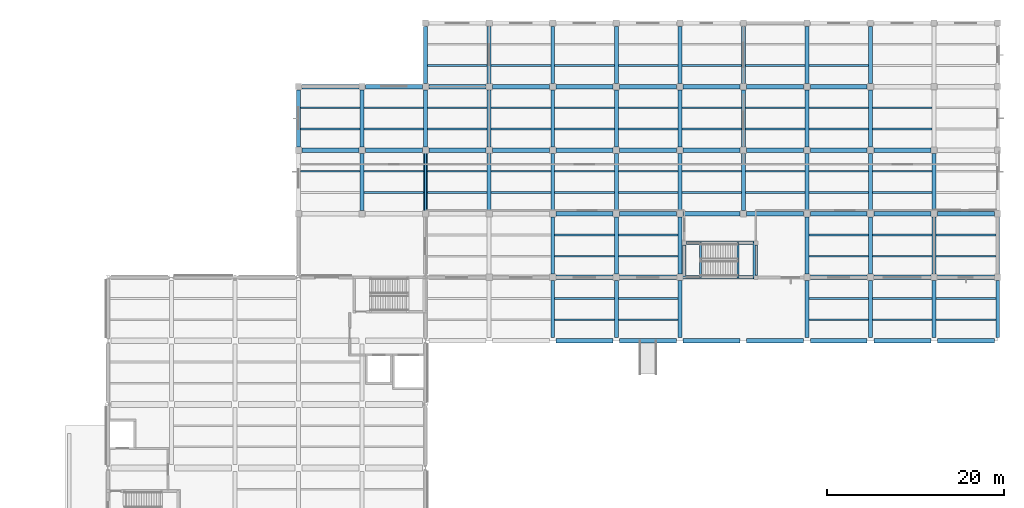
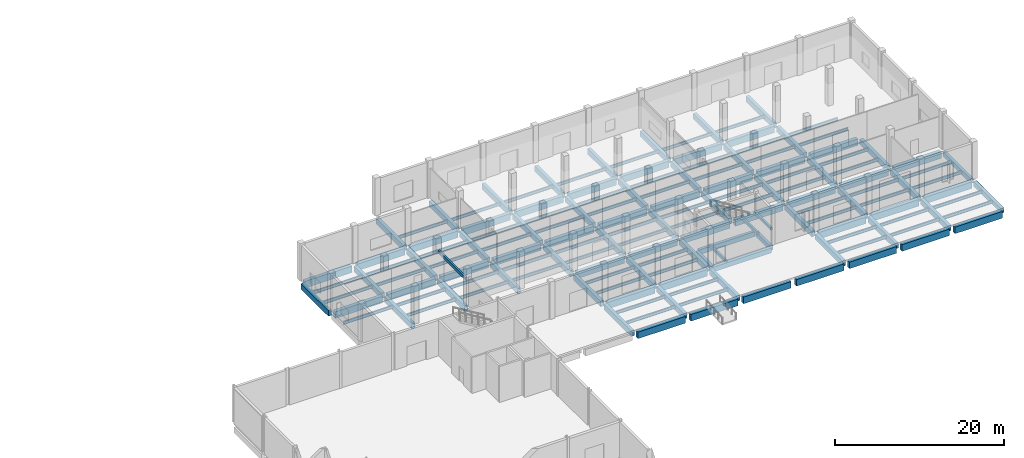
# One storey, part 19 of 46: 154 beams.
"""IFC4 building model written with IfcOpenShell, lengths in metres."""

from ifc_helpers import new_model, si_unit, direction, frame, origin, origin_2d, place, context, subcontext, project, spatial, rectangle, i_section, extrude, material, material_profile, profile_set, type_object, element, save


model = new_model("IFC4")

# Units and contexts
model_context = context("Model", 3, precision=1e-05, world=origin(), true_north=direction((0.0, 1.0)))
body_context = subcontext(model_context, "Body", "Model", "MODEL_VIEW")
ifc_project = project(units=[si_unit("LENGTHUNIT", "METRE"), si_unit("AREAUNIT", "SQUARE_METRE"), si_unit("VOLUMEUNIT", "CUBIC_METRE"), si_unit("PLANEANGLEUNIT", "RADIAN"), si_unit("MASSUNIT", "GRAM", prefix="KILO"), si_unit("THERMODYNAMICTEMPERATUREUNIT", "KELVIN"), si_unit("POWERUNIT", "WATT")], contexts=[model_context])

# Site, building, storey
site_placement = place(None, origin())
site = spatial("IfcSite", under=ifc_project, at=site_placement, CompositionType="ELEMENT")
building_placement = place(site_placement, origin())
building = spatial("IfcBuilding", under=site, at=building_placement, Name="Kaldorven Railside Theatre", CompositionType="ELEMENT")
storey_placement = place(building_placement, origin())
storey = spatial("IfcBuildingStorey", under=building, at=storey_placement, Name="L00", CompositionType="ELEMENT", Elevation=0.0)

# Beams
ifc_material_1 = material(Name="Steel S355", Category="steel")
ifc_material_profile_1 = material_profile(ifc_material_1, i_section(OverallWidth=0.18994140625, OverallDepth=0.449951171875, WebThickness=0.009521484375, FlangeThickness=0.0146484375, at=origin_2d()), Name="IPE 450")
ifc_profile_set_1 = profile_set([ifc_material_profile_1], Name="Steel S355")
beam_type_1 = type_object("IfcBeamType", Name="BM-IPE450", PredefinedType="JOIST", material=ifc_profile_set_1)
for number, where, z_axis, x_axis, name in (
    (1, (137.824951171875, 108.0, -0.47509765625), (1.0, 0.0, 0.0), (0.0, 1.0, 0.0), "L00 Secondary Floor Joist JG-L00-137-1080"),
    (2, (137.824951171875, 110.39990234375, -0.47509765625), (1.0, 0.0, 0.0), (0.0, 1.0, 0.0), "L00 Secondary Floor Joist JG-L00-137-1104"),
    (3, (145.02490234375, 108.0, -0.47509765625), (1.0, 0.0, 0.0), (0.0, 1.0, 0.0), "L00 Secondary Floor Joist JG-L00-144-1080"),
    (4, (145.02490234375, 110.39990234375, -0.47509765625), (1.0, 0.0, 0.0), (0.0, 1.0, 0.0), "L00 Secondary Floor Joist JG-L00-144-1104"),
    (5, (166.625, 108.0, -0.47509765625), (1.0, 0.0, 0.0), (0.0, 1.0, 0.0), "L00 Secondary Floor Joist JG-L00-166-1080"),
    (6, (166.625, 110.39990234375, -0.47509765625), (1.0, 0.0, 0.0), (0.0, 1.0, 0.0), "L00 Secondary Floor Joist JG-L00-166-1104"),
    (7, (173.824951171875, 108.0, -0.47509765625), (1.0, 0.0, 0.0), (0.0, 1.0, 0.0), "L00 Secondary Floor Joist JG-L00-173-1080"),
    (8, (173.824951171875, 110.39990234375, -0.47509765625), (1.0, 0.0, 0.0), (0.0, 1.0, 0.0), "L00 Secondary Floor Joist JG-L00-173-1104"),
):
    element("IfcBeam", number, at=place(storey_placement, frame(where, z_axis=z_axis, x_axis=x_axis)), inside=storey, type_object=beam_type_1, Name=name, PredefinedType="JOIST", context=body_context, shape_type="SweptSolid", body=[
        extrude(i_section(OverallWidth=0.18994140625, OverallDepth=0.449951171875, WebThickness=0.009521484375, FlangeThickness=0.0146484375, at=origin_2d()), origin(), (0.0, 0.0, 1.0), 6.75),
    ])
for number, where, z_axis, x_axis, name in (
    (9, (181.02490234375, 108.0, -0.47509765625), (1.0, 0.0, 0.0), (0.0, 1.0, 0.0), "L00 Secondary Floor Joist JG-L00-180-1080"),
    (10, (181.02490234375, 110.39990234375, -0.47509765625), (1.0, 0.0, 0.0), (0.0, 1.0, 0.0), "L00 Secondary Floor Joist JG-L00-180-1104"),
):
    element("IfcBeam", number, at=place(storey_placement, frame(where, z_axis=z_axis, x_axis=x_axis)), inside=storey, type_object=beam_type_1, Name=name, PredefinedType="JOIST", context=body_context, shape_type="SweptSolid", body=[
        extrude(i_section(OverallWidth=0.18994140625, OverallDepth=0.449951171875, WebThickness=0.009521484375, FlangeThickness=0.0146484375, at=origin_2d()), origin(), (0.0, 0.0, 1.0), 6.775146484375),
    ])
for number, where, z_axis, x_axis, name in (
    (11, (137.824951171875, 115.199951171875, -0.574951171875), (1.0, 0.0, 0.0), (0.0, 1.0, 0.0), "L00 Secondary Floor Joist JG-L00-137-1152"),
    (12, (137.824951171875, 117.60009765625, -0.574951171875), (1.0, 0.0, 0.0), (0.0, 1.0, 0.0), "L00 Secondary Floor Joist JG-L00-137-1176"),
    (13, (145.02490234375, 115.199951171875, -0.574951171875), (1.0, 0.0, 0.0), (0.0, 1.0, 0.0), "L00 Secondary Floor Joist JG-L00-144-1152"),
    (14, (145.02490234375, 117.60009765625, -0.574951171875), (1.0, 0.0, 0.0), (0.0, 1.0, 0.0), "L00 Secondary Floor Joist JG-L00-144-1176"),
    (15, (166.625, 115.199951171875, -0.574951171875), (1.0, 0.0, 0.0), (0.0, 1.0, 0.0), "L00 Secondary Floor Joist JG-L00-166-1152"),
    (16, (166.625, 117.60009765625, -0.574951171875), (1.0, 0.0, 0.0), (0.0, 1.0, 0.0), "L00 Secondary Floor Joist JG-L00-166-1176"),
    (17, (173.824951171875, 115.199951171875, -0.574951171875), (1.0, 0.0, 0.0), (0.0, 1.0, 0.0), "L00 Secondary Floor Joist JG-L00-173-1152"),
    (18, (173.824951171875, 117.60009765625, -0.574951171875), (1.0, 0.0, 0.0), (0.0, 1.0, 0.0), "L00 Secondary Floor Joist JG-L00-173-1176"),
):
    element("IfcBeam", number, at=place(storey_placement, frame(where, z_axis=z_axis, x_axis=x_axis)), inside=storey, type_object=beam_type_1, Name=name, PredefinedType="JOIST", context=body_context, shape_type="SweptSolid", body=[
        extrude(i_section(OverallWidth=0.18994140625, OverallDepth=0.449951171875, WebThickness=0.009521484375, FlangeThickness=0.0146484375, at=origin_2d()), origin(), (0.0, 0.0, 1.0), 6.75),
    ])
for number, where, z_axis, x_axis, name in (
    (19, (181.02490234375, 115.199951171875, -0.574951171875), (1.0, 0.0, 0.0), (0.0, 1.0, 0.0), "L00 Secondary Floor Joist JG-L00-180-1152"),
    (20, (181.02490234375, 117.60009765625, -0.574951171875), (1.0, 0.0, 0.0), (0.0, 1.0, 0.0), "L00 Secondary Floor Joist JG-L00-180-1176"),
):
    element("IfcBeam", number, at=place(storey_placement, frame(where, z_axis=z_axis, x_axis=x_axis)), inside=storey, type_object=beam_type_1, Name=name, PredefinedType="JOIST", context=body_context, shape_type="SweptSolid", body=[
        extrude(i_section(OverallWidth=0.18994140625, OverallDepth=0.449951171875, WebThickness=0.009521484375, FlangeThickness=0.0146484375, at=origin_2d()), origin(), (0.0, 0.0, 1.0), 6.775146484375),
    ])
for number, where, z_axis, x_axis, name in (
    (21, (109.02490234375, 124.800048828125, -0.574951171875), (1.0, 0.0, 0.0), (0.0, 1.0, 0.0), "L00 Secondary Floor Joist JG-L00-108-1248"),
    (22, (116.22509765625, 122.39990234375, -0.574951171875), (1.0, 0.0, 0.0), (0.0, 1.0, 0.0), "L00 Secondary Floor Joist JG-L00-116-1224"),
    (23, (116.22509765625, 124.800048828125, -0.574951171875), (1.0, 0.0, 0.0), (0.0, 1.0, 0.0), "L00 Secondary Floor Joist JG-L00-116-1248"),
    (24, (123.425048828125, 122.39990234375, -0.574951171875), (1.0, 0.0, 0.0), (0.0, 1.0, 0.0), "L00 Secondary Floor Joist JG-L00-123-1224"),
    (25, (123.425048828125, 124.800048828125, -0.574951171875), (1.0, 0.0, 0.0), (0.0, 1.0, 0.0), "L00 Secondary Floor Joist JG-L00-123-1248"),
    (26, (130.625, 122.39990234375, -0.574951171875), (1.0, 0.0, 0.0), (0.0, 1.0, 0.0), "L00 Secondary Floor Joist JG-L00-130-1224"),
    (27, (130.625, 124.800048828125, -0.574951171875), (1.0, 0.0, 0.0), (0.0, 1.0, 0.0), "L00 Secondary Floor Joist JG-L00-130-1248"),
    (28, (137.824951171875, 122.39990234375, -0.574951171875), (1.0, 0.0, 0.0), (0.0, 1.0, 0.0), "L00 Secondary Floor Joist JG-L00-137-1224"),
    (29, (137.824951171875, 124.800048828125, -0.574951171875), (1.0, 0.0, 0.0), (0.0, 1.0, 0.0), "L00 Secondary Floor Joist JG-L00-137-1248"),
    (30, (145.02490234375, 122.39990234375, -0.574951171875), (1.0, 0.0, 0.0), (0.0, 1.0, 0.0), "L00 Secondary Floor Joist JG-L00-144-1224"),
    (31, (145.02490234375, 124.800048828125, -0.574951171875), (1.0, 0.0, 0.0), (0.0, 1.0, 0.0), "L00 Secondary Floor Joist JG-L00-144-1248"),
    (32, (152.22509765625, 122.39990234375, -0.574951171875), (1.0, 0.0, 0.0), (0.0, 1.0, 0.0), "L00 Secondary Floor Joist JG-L00-152-1224"),
    (33, (152.22509765625, 124.800048828125, -0.574951171875), (1.0, 0.0, 0.0), (0.0, 1.0, 0.0), "L00 Secondary Floor Joist JG-L00-152-1248"),
    (34, (159.425048828125, 122.39990234375, -0.574951171875), (1.0, 0.0, 0.0), (0.0, 1.0, 0.0), "L00 Secondary Floor Joist JG-L00-159-1224"),
    (35, (159.425048828125, 124.800048828125, -0.574951171875), (1.0, 0.0, 0.0), (0.0, 1.0, 0.0), "L00 Secondary Floor Joist JG-L00-159-1248"),
    (36, (166.625, 122.39990234375, -0.574951171875), (1.0, 0.0, 0.0), (0.0, 1.0, 0.0), "L00 Secondary Floor Joist JG-L00-166-1224"),
    (37, (166.625, 124.800048828125, -0.574951171875), (1.0, 0.0, 0.0), (0.0, 1.0, 0.0), "L00 Secondary Floor Joist JG-L00-166-1248"),
    (38, (173.824951171875, 122.39990234375, -0.574951171875), (1.0, 0.0, 0.0), (0.0, 1.0, 0.0), "L00 Secondary Floor Joist JG-L00-173-1224"),
    (39, (173.824951171875, 124.800048828125, -0.574951171875), (1.0, 0.0, 0.0), (0.0, 1.0, 0.0), "L00 Secondary Floor Joist JG-L00-173-1248"),
    (40, (109.02490234375, 129.60009765625, -0.574951171875), (1.0, 0.0, 0.0), (0.0, 1.0, 0.0), "L00 Secondary Floor Joist JG-L00-108-1296"),
    (41, (109.02490234375, 132.0, -0.574951171875), (1.0, 0.0, 0.0), (0.0, 1.0, 0.0), "L00 Secondary Floor Joist JG-L00-108-1320"),
    (42, (116.22509765625, 129.60009765625, -0.574951171875), (1.0, 0.0, 0.0), (0.0, 1.0, 0.0), "L00 Secondary Floor Joist JG-L00-116-1296"),
    (43, (116.22509765625, 132.0, -0.574951171875), (1.0, 0.0, 0.0), (0.0, 1.0, 0.0), "L00 Secondary Floor Joist JG-L00-116-1320"),
    (44, (123.425048828125, 129.60009765625, -0.574951171875), (1.0, 0.0, 0.0), (0.0, 1.0, 0.0), "L00 Secondary Floor Joist JG-L00-123-1296"),
    (45, (123.425048828125, 132.0, -0.574951171875), (1.0, 0.0, 0.0), (0.0, 1.0, 0.0), "L00 Secondary Floor Joist JG-L00-123-1320"),
    (46, (130.625, 129.60009765625, -0.574951171875), (1.0, 0.0, 0.0), (0.0, 1.0, 0.0), "L00 Secondary Floor Joist JG-L00-130-1296"),
    (47, (130.625, 132.0, -0.574951171875), (1.0, 0.0, 0.0), (0.0, 1.0, 0.0), "L00 Secondary Floor Joist JG-L00-130-1320"),
    (48, (137.824951171875, 129.60009765625, -0.574951171875), (1.0, 0.0, 0.0), (0.0, 1.0, 0.0), "L00 Secondary Floor Joist JG-L00-137-1296"),
    (49, (137.824951171875, 132.0, -0.574951171875), (1.0, 0.0, 0.0), (0.0, 1.0, 0.0), "L00 Secondary Floor Joist JG-L00-137-1320"),
    (50, (145.02490234375, 129.60009765625, -0.574951171875), (1.0, 0.0, 0.0), (0.0, 1.0, 0.0), "L00 Secondary Floor Joist JG-L00-144-1296"),
    (51, (145.02490234375, 132.0, -0.574951171875), (1.0, 0.0, 0.0), (0.0, 1.0, 0.0), "L00 Secondary Floor Joist JG-L00-144-1320"),
    (52, (152.22509765625, 129.60009765625, -0.574951171875), (1.0, 0.0, 0.0), (0.0, 1.0, 0.0), "L00 Secondary Floor Joist JG-L00-152-1296"),
    (53, (152.22509765625, 132.0, -0.574951171875), (1.0, 0.0, 0.0), (0.0, 1.0, 0.0), "L00 Secondary Floor Joist JG-L00-152-1320"),
    (54, (159.425048828125, 129.60009765625, -0.574951171875), (1.0, 0.0, 0.0), (0.0, 1.0, 0.0), "L00 Secondary Floor Joist JG-L00-159-1296"),
    (55, (159.425048828125, 132.0, -0.574951171875), (1.0, 0.0, 0.0), (0.0, 1.0, 0.0), "L00 Secondary Floor Joist JG-L00-159-1320"),
    (56, (166.625, 129.60009765625, -0.574951171875), (1.0, 0.0, 0.0), (0.0, 1.0, 0.0), "L00 Secondary Floor Joist JG-L00-166-1296"),
    (57, (166.625, 132.0, -0.574951171875), (1.0, 0.0, 0.0), (0.0, 1.0, 0.0), "L00 Secondary Floor Joist JG-L00-166-1320"),
    (58, (173.824951171875, 129.60009765625, -0.574951171875), (1.0, 0.0, 0.0), (0.0, 1.0, 0.0), "L00 Secondary Floor Joist JG-L00-173-1296"),
    (59, (173.824951171875, 132.0, -0.574951171875), (1.0, 0.0, 0.0), (0.0, 1.0, 0.0), "L00 Secondary Floor Joist JG-L00-173-1320"),
    (60, (123.425048828125, 136.800048828125, -0.574951171875), (1.0, 0.0, 0.0), (0.0, 1.0, 0.0), "L00 Secondary Floor Joist JG-L00-123-1368"),
    (61, (130.625, 136.800048828125, -0.574951171875), (1.0, 0.0, 0.0), (0.0, 1.0, 0.0), "L00 Secondary Floor Joist JG-L00-130-1368"),
    (62, (137.824951171875, 136.800048828125, -0.574951171875), (1.0, 0.0, 0.0), (0.0, 1.0, 0.0), "L00 Secondary Floor Joist JG-L00-137-1368"),
    (63, (145.02490234375, 136.800048828125, -0.574951171875), (1.0, 0.0, 0.0), (0.0, 1.0, 0.0), "L00 Secondary Floor Joist JG-L00-144-1368"),
    (64, (152.22509765625, 136.800048828125, -0.574951171875), (1.0, 0.0, 0.0), (0.0, 1.0, 0.0), "L00 Secondary Floor Joist JG-L00-152-1368"),
    (65, (159.425048828125, 136.800048828125, -0.574951171875), (1.0, 0.0, 0.0), (0.0, 1.0, 0.0), "L00 Secondary Floor Joist JG-L00-159-1368"),
    (66, (166.625, 136.800048828125, -0.574951171875), (1.0, 0.0, 0.0), (0.0, 1.0, 0.0), "L00 Secondary Floor Joist JG-L00-166-1368"),
):
    element("IfcBeam", number, at=place(storey_placement, frame(where, z_axis=z_axis, x_axis=x_axis)), inside=storey, type_object=beam_type_1, Name=name, PredefinedType="JOIST", context=body_context, shape_type="SweptSolid", body=[
        extrude(i_section(OverallWidth=0.18994140625, OverallDepth=0.449951171875, WebThickness=0.009521484375, FlangeThickness=0.0146484375, at=origin_2d()), origin(), (0.0, 0.0, 1.0), 6.75),
    ])
ifc_material_2 = material(Name="Concrete C40/50", Category="concrete")
ifc_material_profile_2 = material_profile(ifc_material_2, rectangle(XDim=0.25, YDim=0.39990234375, at=origin_2d()), Name="RC 250x400")
ifc_profile_set_2 = profile_set([ifc_material_profile_2], Name="Concrete C40/50")
beam_type_2 = type_object("IfcBeamType", Name="BM-RC250x400", PredefinedType="LINTEL", material=ifc_profile_set_2)
beam_1_placement = place(storey_placement, frame((154.35009765625, 112.77001953125, -0.344970703125), z_axis=(0.0, 1.0, 0.0), x_axis=(-1.0, 0.0, 0.0)))
element("IfcBeam", 67, at=beam_1_placement, inside=storey, type_object=beam_type_2, Name="Stair ST-08 L00 Landing Trimmer Beam", PredefinedType="LINTEL", context=body_context, shape_type="SweptSolid", body=[
    extrude(rectangle(XDim=0.25, YDim=0.39990234375, at=origin_2d()), origin(), (0.0, 0.0, 1.0), 3.9599609375),
])
for number, where, z_axis, x_axis, name in (
    (68, (158.574951171875, 112.739990234375, 2.300048828125), (0.0, 1.0, 0.0), (-1.0, 0.0, 0.0), "Stair ST-08 L00 Half-Landing Bearer"),
    (69, (160.429931640625, 112.739990234375, 2.300048828125), (0.0, 1.0, 0.0), (-1.0, 0.0, 0.0), "Stair ST-08 L00 Half-Landing Bearer"),
):
    element("IfcBeam", number, at=place(storey_placement, frame(where, z_axis=z_axis, x_axis=x_axis)), inside=storey, type_object=beam_type_2, Name=name, PredefinedType="LINTEL", context=body_context, shape_type="SweptSolid", body=[
        extrude(rectangle(XDim=0.25, YDim=0.39990234375, at=origin_2d()), origin(), (0.0, 0.0, 1.0), 4.02001953125),
    ])
beam_2_placement = place(storey_placement, frame((123.199951171875, 120.25, 3.550048828125), z_axis=(0.0, 1.0, 0.0), x_axis=(-1.0, 0.0, 0.0)))
element("IfcBeam", 70, at=beam_2_placement, inside=storey, type_object=beam_type_2, Name="Reinforced Concrete Opening Lintel LNT-05", PredefinedType="LINTEL", context=body_context, shape_type="SweptSolid", body=[
    extrude(rectangle(XDim=0.25, YDim=0.39990234375, at=origin_2d()), origin(), (0.0, 0.0, 1.0), 6.699951171875),
])
ifc_material_profile_3 = material_profile(ifc_material_2, rectangle(XDim=0.39990234375, YDim=0.699951171875, at=origin_2d()), Name="RC 400x700")
ifc_profile_set_3 = profile_set([ifc_material_profile_3], Name="Concrete C40/50")
beam_type_3 = type_object("IfcBeamType", Name="BM-RC400x700", PredefinedType="BEAM", material=ifc_profile_set_3)
for number, where, z_axis, x_axis, name in (
    (71, (188.0, 105.97509765625, -0.60009765625), (0.0, 1.0, 0.0), (-1.0, 0.0, 0.0), "L00 Girder BGY-L00-188-105-72"),
    (72, (188.0, 113.175048828125, -0.699951171875), (0.0, 1.0, 0.0), (-1.0, 0.0, 0.0), "L00 Girder BGY-L00-188-112-72"),
):
    element("IfcBeam", number, at=place(storey_placement, frame(where, z_axis=z_axis, x_axis=x_axis)), inside=storey, type_object=beam_type_3, Name=name, PredefinedType="BEAM", context=body_context, shape_type="SweptSolid", body=[
        extrude(rectangle(XDim=0.39990234375, YDim=0.699951171875, at=origin_2d()), origin(), (0.0, 0.0, 1.0), 6.449951171875),
    ])
beam_3_placement = place(storey_placement, frame((152.3798828125, 112.800048828125, -0.699951171875), z_axis=(1.0, 0.0, 0.0), x_axis=(0.0, 1.0, 0.0)))
element("IfcBeam", 73, at=beam_3_placement, inside=storey, type_object=beam_type_3, Name="Core ST-08 L00 Ring Girder", PredefinedType="BEAM", context=body_context, shape_type="SweptSolid", body=[
    extrude(rectangle(XDim=0.39990234375, YDim=0.699951171875, at=origin_2d()), origin(), (0.0, 0.0, 1.0), 7.9951171875),
])
beam_4_placement = place(storey_placement, frame((160.60009765625, 113.02490234375, -0.699951171875), z_axis=(0.0, 1.0, 0.0), x_axis=(-1.0, 0.0, 0.0)))
element("IfcBeam", 74, at=beam_4_placement, inside=storey, type_object=beam_type_3, Name="Core ST-08 L00 Ring Girder", PredefinedType="BEAM", context=body_context, shape_type="SweptSolid", body=[
    extrude(rectangle(XDim=0.39990234375, YDim=0.699951171875, at=origin_2d()), origin(), (0.0, 0.0, 1.0), 3.4501953125),
])
beam_5_placement = place(storey_placement, frame((160.375, 116.699951171875, -0.699951171875), z_axis=(-1.0, 0.0, 0.0), x_axis=(0.0, -1.0, 0.0)))
element("IfcBeam", 75, at=beam_5_placement, inside=storey, type_object=beam_type_3, Name="Core ST-08 L00 Ring Girder", PredefinedType="BEAM", context=body_context, shape_type="SweptSolid", body=[
    extrude(rectangle(XDim=0.39990234375, YDim=0.699951171875, at=origin_2d()), origin(), (0.0, 0.0, 1.0), 7.64990234375),
])
beam_6_placement = place(storey_placement, frame((152.5, 116.47509765625, -0.699951171875), z_axis=(0.0, -1.0, 0.0), x_axis=(1.0, 0.0, 0.0)))
element("IfcBeam", 76, at=beam_6_placement, inside=storey, type_object=beam_type_3, Name="Core ST-08 L00 Ring Girder", PredefinedType="BEAM", context=body_context, shape_type="SweptSolid", body=[
    extrude(rectangle(XDim=0.39990234375, YDim=0.699951171875, at=origin_2d()), origin(), (0.0, 0.0, 1.0), 3.655029296875),
])
ifc_material_profile_4 = material_profile(ifc_material_2, rectangle(XDim=0.449951171875, YDim=0.800048828125, at=origin_2d()), Name="RC 450x800")
ifc_profile_set_4 = profile_set([ifc_material_profile_4], Name="Concrete C40/50")
beam_type_4 = type_object("IfcBeamType", Name="BM-RC450x800", PredefinedType="BEAM", material=ifc_profile_set_4)
for number, where, z_axis, x_axis, name in (
    (77, (137.60009765625, 105.97509765625, -0.64990234375), (0.0, 1.0, 0.0), (-1.0, 0.0, 0.0), "L00 Girder BGY-L00-137-105-72"),
    (78, (144.800048828125, 105.97509765625, -0.64990234375), (0.0, 1.0, 0.0), (-1.0, 0.0, 0.0), "L00 Girder BGY-L00-144-105-72"),
    (79, (152.0, 105.97509765625, -0.64990234375), (0.0, 1.0, 0.0), (-1.0, 0.0, 0.0), "L00 Girder BGY-L00-152-105-72"),
    (80, (166.39990234375, 105.97509765625, -0.64990234375), (0.0, 1.0, 0.0), (-1.0, 0.0, 0.0), "L00 Girder BGY-L00-166-105-72"),
    (81, (173.60009765625, 105.97509765625, -0.64990234375), (0.0, 1.0, 0.0), (-1.0, 0.0, 0.0), "L00 Girder BGY-L00-173-105-72"),
    (82, (180.800048828125, 105.97509765625, -0.64990234375), (0.0, 1.0, 0.0), (-1.0, 0.0, 0.0), "L00 Girder BGY-L00-180-105-72"),
    (83, (137.60009765625, 113.175048828125, -0.75), (0.0, 1.0, 0.0), (-1.0, 0.0, 0.0), "L00 Girder BGY-L00-137-112-72"),
    (84, (144.800048828125, 113.175048828125, -0.75), (0.0, 1.0, 0.0), (-1.0, 0.0, 0.0), "L00 Girder BGY-L00-144-112-72"),
    (85, (152.0, 113.175048828125, -0.75), (0.0, 1.0, 0.0), (-1.0, 0.0, 0.0), "L00 Girder BGY-L00-152-112-72"),
    (86, (166.39990234375, 113.175048828125, -0.75), (0.0, 1.0, 0.0), (-1.0, 0.0, 0.0), "L00 Girder BGY-L00-166-112-72"),
    (87, (173.60009765625, 113.175048828125, -0.75), (0.0, 1.0, 0.0), (-1.0, 0.0, 0.0), "L00 Girder BGY-L00-173-112-72"),
    (88, (180.800048828125, 113.175048828125, -0.75), (0.0, 1.0, 0.0), (-1.0, 0.0, 0.0), "L00 Girder BGY-L00-180-112-72"),
    (89, (116.0, 120.375, -0.75), (0.0, 1.0, 0.0), (-1.0, 0.0, 0.0), "L00 Girder BGY-L00-116-120-72"),
    (90, (123.199951171875, 120.375, -0.75), (0.0, 1.0, 0.0), (-1.0, 0.0, 0.0), "L00 Girder BGY-L00-123-120-72"),
    (91, (130.39990234375, 120.375, -0.75), (0.0, 1.0, 0.0), (-1.0, 0.0, 0.0), "L00 Girder BGY-L00-130-120-72"),
    (92, (137.60009765625, 120.375, -0.75), (0.0, 1.0, 0.0), (-1.0, 0.0, 0.0), "L00 Girder BGY-L00-137-120-72"),
    (93, (144.800048828125, 120.375, -0.75), (0.0, 1.0, 0.0), (-1.0, 0.0, 0.0), "L00 Girder BGY-L00-144-120-72"),
    (94, (152.0, 120.375, -0.75), (0.0, 1.0, 0.0), (-1.0, 0.0, 0.0), "L00 Girder BGY-L00-152-120-72"),
    (95, (159.199951171875, 120.375, -0.75), (0.0, 1.0, 0.0), (-1.0, 0.0, 0.0), "L00 Girder BGY-L00-159-120-72"),
    (96, (166.39990234375, 120.375, -0.75), (0.0, 1.0, 0.0), (-1.0, 0.0, 0.0), "L00 Girder BGY-L00-166-120-72"),
    (97, (173.60009765625, 120.375, -0.75), (0.0, 1.0, 0.0), (-1.0, 0.0, 0.0), "L00 Girder BGY-L00-173-120-72"),
    (98, (180.800048828125, 120.375, -0.75), (0.0, 1.0, 0.0), (-1.0, 0.0, 0.0), "L00 Girder BGY-L00-180-120-72"),
    (99, (108.800048828125, 127.574951171875, -0.75), (0.0, 1.0, 0.0), (-1.0, 0.0, 0.0), "L00 Girder BGY-L00-108-127-72"),
    (100, (116.0, 127.574951171875, -0.75), (0.0, 1.0, 0.0), (-1.0, 0.0, 0.0), "L00 Girder BGY-L00-116-127-72"),
    (101, (123.199951171875, 127.574951171875, -0.75), (0.0, 1.0, 0.0), (-1.0, 0.0, 0.0), "L00 Girder BGY-L00-123-127-72"),
    (102, (130.39990234375, 127.574951171875, -0.75), (0.0, 1.0, 0.0), (-1.0, 0.0, 0.0), "L00 Girder BGY-L00-130-127-72"),
    (103, (137.60009765625, 127.574951171875, -0.75), (0.0, 1.0, 0.0), (-1.0, 0.0, 0.0), "L00 Girder BGY-L00-137-127-72"),
    (104, (144.800048828125, 127.574951171875, -0.75), (0.0, 1.0, 0.0), (-1.0, 0.0, 0.0), "L00 Girder BGY-L00-144-127-72"),
    (105, (152.0, 127.574951171875, -0.75), (0.0, 1.0, 0.0), (-1.0, 0.0, 0.0), "L00 Girder BGY-L00-152-127-72"),
    (106, (159.199951171875, 127.574951171875, -0.75), (0.0, 1.0, 0.0), (-1.0, 0.0, 0.0), "L00 Girder BGY-L00-159-127-72"),
    (107, (166.39990234375, 127.574951171875, -0.75), (0.0, 1.0, 0.0), (-1.0, 0.0, 0.0), "L00 Girder BGY-L00-166-127-72"),
    (108, (173.60009765625, 127.574951171875, -0.75), (0.0, 1.0, 0.0), (-1.0, 0.0, 0.0), "L00 Girder BGY-L00-173-127-72"),
):
    element("IfcBeam", number, at=place(storey_placement, frame(where, z_axis=z_axis, x_axis=x_axis)), inside=storey, type_object=beam_type_4, Name=name, PredefinedType="BEAM", context=body_context, shape_type="SweptSolid", body=[
        extrude(rectangle(XDim=0.449951171875, YDim=0.800048828125, at=origin_2d()), origin(), (0.0, 0.0, 1.0), 6.449951171875),
    ])
for number, where, z_axis, x_axis, name in (
    (109, (123.199951171875, 134.77490234375, -0.75), (0.0, 1.0, 0.0), (-1.0, 0.0, 0.0), "L00 Girder BGY-L00-123-134-72"),
    (110, (130.39990234375, 134.77490234375, -0.75), (0.0, 1.0, 0.0), (-1.0, 0.0, 0.0), "L00 Girder BGY-L00-130-134-72"),
    (111, (137.60009765625, 134.77490234375, -0.75), (0.0, 1.0, 0.0), (-1.0, 0.0, 0.0), "L00 Girder BGY-L00-137-134-72"),
    (112, (144.800048828125, 134.77490234375, -0.75), (0.0, 1.0, 0.0), (-1.0, 0.0, 0.0), "L00 Girder BGY-L00-144-134-72"),
    (113, (152.0, 134.77490234375, -0.75), (0.0, 1.0, 0.0), (-1.0, 0.0, 0.0), "L00 Girder BGY-L00-152-134-72"),
    (114, (159.199951171875, 134.77490234375, -0.75), (0.0, 1.0, 0.0), (-1.0, 0.0, 0.0), "L00 Girder BGY-L00-159-134-72"),
    (115, (166.39990234375, 134.77490234375, -0.75), (0.0, 1.0, 0.0), (-1.0, 0.0, 0.0), "L00 Girder BGY-L00-166-134-72"),
    (116, (173.60009765625, 134.77490234375, -0.75), (0.0, 1.0, 0.0), (-1.0, 0.0, 0.0), "L00 Girder BGY-L00-173-134-72"),
):
    element("IfcBeam", number, at=place(storey_placement, frame(where, z_axis=z_axis, x_axis=x_axis)), inside=storey, type_object=beam_type_4, Name=name, PredefinedType="BEAM", context=body_context, shape_type="SweptSolid", body=[
        extrude(rectangle(XDim=0.449951171875, YDim=0.800048828125, at=origin_2d()), origin(), (0.0, 0.0, 1.0), 6.4501953125),
    ])
ifc_material_profile_5 = material_profile(ifc_material_2, rectangle(XDim=0.5, YDim=0.949951171875, at=origin_2d()), Name="RC 500x950")
ifc_profile_set_5 = profile_set([ifc_material_profile_5], Name="Concrete C40/50")
beam_type_5 = type_object("IfcBeamType", Name="BM-RC500x950", PredefinedType="BEAM", material=ifc_profile_set_5)
for number, where, z_axis, x_axis, name in (
    (117, (137.97509765625, 105.60009765625, -0.72509765625), (1.0, 0.0, 0.0), (0.0, 1.0, 0.0), "L00 Girder BGX-L00-137-105"),
    (118, (145.175048828125, 105.60009765625, -0.72509765625), (1.0, 0.0, 0.0), (0.0, 1.0, 0.0), "L00 Girder BGX-L00-144-105"),
    (119, (152.375, 105.60009765625, -0.72509765625), (1.0, 0.0, 0.0), (0.0, 1.0, 0.0), "L00 Girder BGX-L00-152-105"),
    (120, (159.574951171875, 105.60009765625, -0.72509765625), (1.0, 0.0, 0.0), (0.0, 1.0, 0.0), "L00 Girder BGX-L00-159-105"),
):
    element("IfcBeam", number, at=place(storey_placement, frame(where, z_axis=z_axis, x_axis=x_axis)), inside=storey, type_object=beam_type_5, Name=name, PredefinedType="BEAM", context=body_context, shape_type="SweptSolid", body=[
        extrude(rectangle(XDim=0.5, YDim=0.949951171875, at=origin_2d()), origin(), (0.0, 0.0, 1.0), 6.449951171875),
    ])
beam_7_placement = place(storey_placement, frame((166.77490234375, 105.60009765625, -0.72509765625), z_axis=(1.0, 0.0, 0.0), x_axis=(0.0, 1.0, 0.0)))
element("IfcBeam", 121, at=beam_7_placement, inside=storey, type_object=beam_type_5, Name="L00 Girder BGX-L00-166-105", PredefinedType="BEAM", context=body_context, shape_type="SweptSolid", body=[
    extrude(rectangle(XDim=0.5, YDim=0.949951171875, at=origin_2d()), origin(), (0.0, 0.0, 1.0), 6.4501953125),
])
for number, where, z_axis, x_axis, name in (
    (122, (173.97509765625, 105.60009765625, -0.72509765625), (1.0, 0.0, 0.0), (0.0, 1.0, 0.0), "L00 Girder BGX-L00-173-105"),
    (123, (181.175048828125, 105.60009765625, -0.72509765625), (1.0, 0.0, 0.0), (0.0, 1.0, 0.0), "L00 Girder BGX-L00-180-105"),
    (124, (137.97509765625, 112.800048828125, -0.824951171875), (1.0, 0.0, 0.0), (0.0, 1.0, 0.0), "L00 Girder BGX-L00-137-112"),
    (125, (145.175048828125, 112.800048828125, -0.824951171875), (1.0, 0.0, 0.0), (0.0, 1.0, 0.0), "L00 Girder BGX-L00-144-112"),
):
    element("IfcBeam", number, at=place(storey_placement, frame(where, z_axis=z_axis, x_axis=x_axis)), inside=storey, type_object=beam_type_5, Name=name, PredefinedType="BEAM", context=body_context, shape_type="SweptSolid", body=[
        extrude(rectangle(XDim=0.5, YDim=0.949951171875, at=origin_2d()), origin(), (0.0, 0.0, 1.0), 6.449951171875),
    ])
beam_8_placement = place(storey_placement, frame((166.77490234375, 112.800048828125, -0.824951171875), z_axis=(1.0, 0.0, 0.0), x_axis=(0.0, 1.0, 0.0)))
element("IfcBeam", 126, at=beam_8_placement, inside=storey, type_object=beam_type_5, Name="L00 Girder BGX-L00-166-112", PredefinedType="BEAM", context=body_context, shape_type="SweptSolid", body=[
    extrude(rectangle(XDim=0.5, YDim=0.949951171875, at=origin_2d()), origin(), (0.0, 0.0, 1.0), 6.4501953125),
])
for number, where, z_axis, x_axis, name in (
    (127, (173.97509765625, 112.800048828125, -0.824951171875), (1.0, 0.0, 0.0), (0.0, 1.0, 0.0), "L00 Girder BGX-L00-173-112"),
    (128, (181.175048828125, 112.800048828125, -0.824951171875), (1.0, 0.0, 0.0), (0.0, 1.0, 0.0), "L00 Girder BGX-L00-180-112"),
    (129, (137.97509765625, 120.0, -0.824951171875), (1.0, 0.0, 0.0), (0.0, 1.0, 0.0), "L00 Girder BGX-L00-137-120"),
    (130, (145.175048828125, 120.0, -0.824951171875), (1.0, 0.0, 0.0), (0.0, 1.0, 0.0), "L00 Girder BGX-L00-144-120"),
    (131, (152.375, 120.0, -0.824951171875), (1.0, 0.0, 0.0), (0.0, 1.0, 0.0), "L00 Girder BGX-L00-152-120"),
    (132, (159.574951171875, 120.0, -0.824951171875), (1.0, 0.0, 0.0), (0.0, 1.0, 0.0), "L00 Girder BGX-L00-159-120"),
):
    element("IfcBeam", number, at=place(storey_placement, frame(where, z_axis=z_axis, x_axis=x_axis)), inside=storey, type_object=beam_type_5, Name=name, PredefinedType="BEAM", context=body_context, shape_type="SweptSolid", body=[
        extrude(rectangle(XDim=0.5, YDim=0.949951171875, at=origin_2d()), origin(), (0.0, 0.0, 1.0), 6.449951171875),
    ])
beam_9_placement = place(storey_placement, frame((166.77490234375, 120.0, -0.824951171875), z_axis=(1.0, 0.0, 0.0), x_axis=(0.0, 1.0, 0.0)))
element("IfcBeam", 133, at=beam_9_placement, inside=storey, type_object=beam_type_5, Name="L00 Girder BGX-L00-166-120", PredefinedType="BEAM", context=body_context, shape_type="SweptSolid", body=[
    extrude(rectangle(XDim=0.5, YDim=0.949951171875, at=origin_2d()), origin(), (0.0, 0.0, 1.0), 6.4501953125),
])
for number, where, z_axis, x_axis, name in (
    (134, (173.97509765625, 120.0, -0.824951171875), (1.0, 0.0, 0.0), (0.0, 1.0, 0.0), "L00 Girder BGX-L00-173-120"),
    (135, (181.175048828125, 120.0, -0.824951171875), (1.0, 0.0, 0.0), (0.0, 1.0, 0.0), "L00 Girder BGX-L00-180-120"),
    (136, (109.175048828125, 127.199951171875, -0.824951171875), (1.0, 0.0, 0.0), (0.0, 1.0, 0.0), "L00 Girder BGX-L00-108-127"),
    (137, (116.375, 127.199951171875, -0.824951171875), (1.0, 0.0, 0.0), (0.0, 1.0, 0.0), "L00 Girder BGX-L00-116-127"),
    (138, (123.574951171875, 127.199951171875, -0.824951171875), (1.0, 0.0, 0.0), (0.0, 1.0, 0.0), "L00 Girder BGX-L00-123-127"),
):
    element("IfcBeam", number, at=place(storey_placement, frame(where, z_axis=z_axis, x_axis=x_axis)), inside=storey, type_object=beam_type_5, Name=name, PredefinedType="BEAM", context=body_context, shape_type="SweptSolid", body=[
        extrude(rectangle(XDim=0.5, YDim=0.949951171875, at=origin_2d()), origin(), (0.0, 0.0, 1.0), 6.449951171875),
    ])
beam_10_placement = place(storey_placement, frame((130.77490234375, 127.199951171875, -0.824951171875), z_axis=(1.0, 0.0, 0.0), x_axis=(0.0, 1.0, 0.0)))
element("IfcBeam", 139, at=beam_10_placement, inside=storey, type_object=beam_type_5, Name="L00 Girder BGX-L00-130-127", PredefinedType="BEAM", context=body_context, shape_type="SweptSolid", body=[
    extrude(rectangle(XDim=0.5, YDim=0.949951171875, at=origin_2d()), origin(), (0.0, 0.0, 1.0), 6.4501953125),
])
for number, where, z_axis, x_axis, name in (
    (140, (137.97509765625, 127.199951171875, -0.824951171875), (1.0, 0.0, 0.0), (0.0, 1.0, 0.0), "L00 Girder BGX-L00-137-127"),
    (141, (145.175048828125, 127.199951171875, -0.824951171875), (1.0, 0.0, 0.0), (0.0, 1.0, 0.0), "L00 Girder BGX-L00-144-127"),
    (142, (152.375, 127.199951171875, -0.824951171875), (1.0, 0.0, 0.0), (0.0, 1.0, 0.0), "L00 Girder BGX-L00-152-127"),
    (143, (159.574951171875, 127.199951171875, -0.824951171875), (1.0, 0.0, 0.0), (0.0, 1.0, 0.0), "L00 Girder BGX-L00-159-127"),
):
    element("IfcBeam", number, at=place(storey_placement, frame(where, z_axis=z_axis, x_axis=x_axis)), inside=storey, type_object=beam_type_5, Name=name, PredefinedType="BEAM", context=body_context, shape_type="SweptSolid", body=[
        extrude(rectangle(XDim=0.5, YDim=0.949951171875, at=origin_2d()), origin(), (0.0, 0.0, 1.0), 6.449951171875),
    ])
beam_11_placement = place(storey_placement, frame((166.77490234375, 127.199951171875, -0.824951171875), z_axis=(1.0, 0.0, 0.0), x_axis=(0.0, 1.0, 0.0)))
element("IfcBeam", 144, at=beam_11_placement, inside=storey, type_object=beam_type_5, Name="L00 Girder BGX-L00-166-127", PredefinedType="BEAM", context=body_context, shape_type="SweptSolid", body=[
    extrude(rectangle(XDim=0.5, YDim=0.949951171875, at=origin_2d()), origin(), (0.0, 0.0, 1.0), 6.4501953125),
])
for number, where, z_axis, x_axis, name in (
    (145, (173.97509765625, 127.199951171875, -0.824951171875), (1.0, 0.0, 0.0), (0.0, 1.0, 0.0), "L00 Girder BGX-L00-173-127"),
    (146, (109.175048828125, 134.39990234375, -0.824951171875), (1.0, 0.0, 0.0), (0.0, 1.0, 0.0), "L00 Girder BGX-L00-108-134"),
    (147, (116.375, 134.39990234375, -0.824951171875), (1.0, 0.0, 0.0), (0.0, 1.0, 0.0), "L00 Girder BGX-L00-116-134"),
    (148, (123.574951171875, 134.39990234375, -0.824951171875), (1.0, 0.0, 0.0), (0.0, 1.0, 0.0), "L00 Girder BGX-L00-123-134"),
):
    element("IfcBeam", number, at=place(storey_placement, frame(where, z_axis=z_axis, x_axis=x_axis)), inside=storey, type_object=beam_type_5, Name=name, PredefinedType="BEAM", context=body_context, shape_type="SweptSolid", body=[
        extrude(rectangle(XDim=0.5, YDim=0.949951171875, at=origin_2d()), origin(), (0.0, 0.0, 1.0), 6.449951171875),
    ])
beam_12_placement = place(storey_placement, frame((130.77490234375, 134.39990234375, -0.824951171875), z_axis=(1.0, 0.0, 0.0), x_axis=(0.0, 1.0, 0.0)))
element("IfcBeam", 149, at=beam_12_placement, inside=storey, type_object=beam_type_5, Name="L00 Girder BGX-L00-130-134", PredefinedType="BEAM", context=body_context, shape_type="SweptSolid", body=[
    extrude(rectangle(XDim=0.5, YDim=0.949951171875, at=origin_2d()), origin(), (0.0, 0.0, 1.0), 6.4501953125),
])
for number, where, z_axis, x_axis, name in (
    (150, (137.97509765625, 134.39990234375, -0.824951171875), (1.0, 0.0, 0.0), (0.0, 1.0, 0.0), "L00 Girder BGX-L00-137-134"),
    (151, (145.175048828125, 134.39990234375, -0.824951171875), (1.0, 0.0, 0.0), (0.0, 1.0, 0.0), "L00 Girder BGX-L00-144-134"),
    (152, (152.375, 134.39990234375, -0.824951171875), (1.0, 0.0, 0.0), (0.0, 1.0, 0.0), "L00 Girder BGX-L00-152-134"),
    (153, (159.574951171875, 134.39990234375, -0.824951171875), (1.0, 0.0, 0.0), (0.0, 1.0, 0.0), "L00 Girder BGX-L00-159-134"),
):
    element("IfcBeam", number, at=place(storey_placement, frame(where, z_axis=z_axis, x_axis=x_axis)), inside=storey, type_object=beam_type_5, Name=name, PredefinedType="BEAM", context=body_context, shape_type="SweptSolid", body=[
        extrude(rectangle(XDim=0.5, YDim=0.949951171875, at=origin_2d()), origin(), (0.0, 0.0, 1.0), 6.449951171875),
    ])
beam_13_placement = place(storey_placement, frame((166.77490234375, 134.39990234375, -0.824951171875), z_axis=(1.0, 0.0, 0.0), x_axis=(0.0, 1.0, 0.0)))
element("IfcBeam", 154, at=beam_13_placement, inside=storey, type_object=beam_type_5, Name="L00 Girder BGX-L00-166-134", PredefinedType="BEAM", context=body_context, shape_type="SweptSolid", body=[
    extrude(rectangle(XDim=0.5, YDim=0.949951171875, at=origin_2d()), origin(), (0.0, 0.0, 1.0), 6.4501953125),
])

save(model, "model.ifc")
